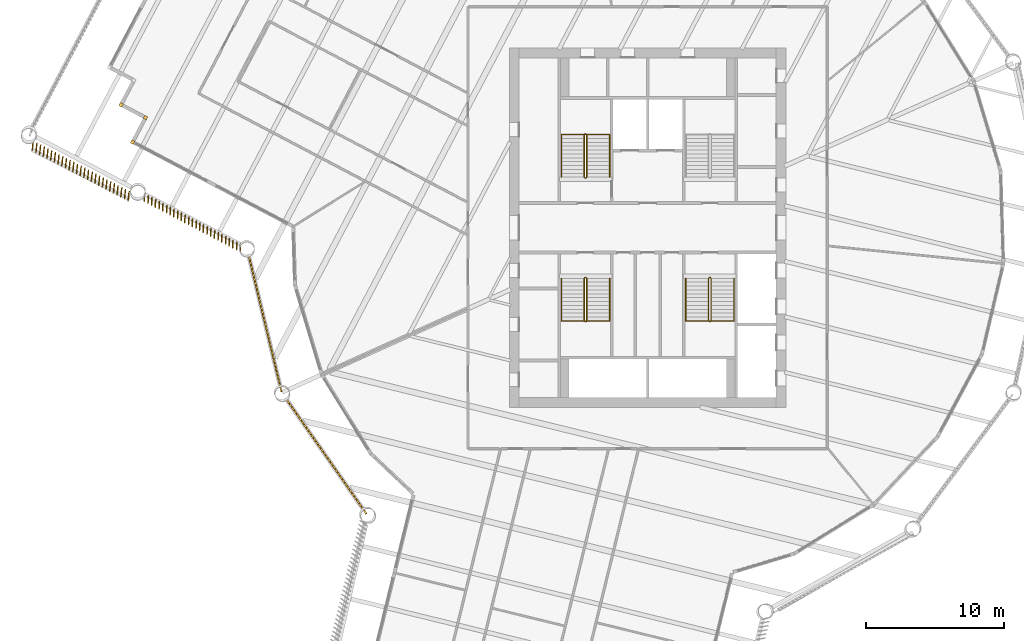
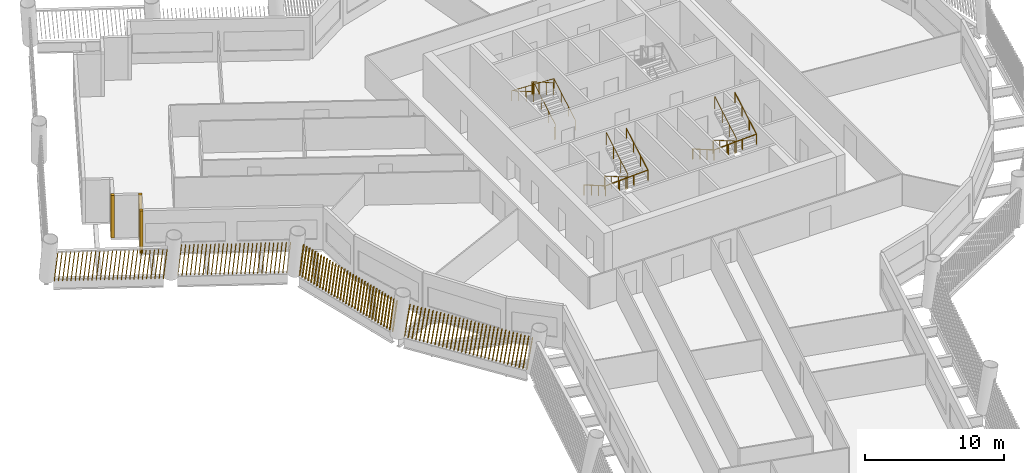
# One storey, part 12 of 15: 7 shading devices, 6 railings.
"""IFC4 building model written with IfcOpenShell, lengths in metres."""

from ifc_helpers import new_model, si_unit, direction, frame, frame_2d, origin, origin_2d, place, context, subcontext, project, spatial, rectangle, circle, composite_profile, extrude, material, type_object, element, save


model = new_model("IFC4")

# Units and contexts
model_context = context("Model", 3, precision=1e-05, world=origin(), true_north=direction((0.0, 1.0)))
body_context = subcontext(model_context, "Body", "Model", "MODEL_VIEW")
ifc_project = project(units=[si_unit("LENGTHUNIT", "METRE"), si_unit("AREAUNIT", "SQUARE_METRE"), si_unit("VOLUMEUNIT", "CUBIC_METRE"), si_unit("PLANEANGLEUNIT", "RADIAN"), si_unit("MASSUNIT", "GRAM", prefix="KILO")], contexts=[model_context])

# Site, building, storey
site_placement = place(None, origin())
site = spatial("IfcSite", under=ifc_project, at=site_placement, CompositionType="ELEMENT")
building_placement = place(site_placement, origin())
building = spatial("IfcBuilding", under=site, at=building_placement, Name="Tarsis Ring Headquarters", CompositionType="ELEMENT")
storey_placement = place(building_placement, frame((0.0, 0.0, 167.10009765625)))
storey = spatial("IfcBuildingStorey", under=building, at=storey_placement, Name="L38", CompositionType="ELEMENT", Elevation=167.10009765625)

# Railings
ifc_material_1 = material(Name="Steel S355", Category="steel")
railing_type_1 = type_object("IfcRailingType", Name="Core stair guard 1100", PredefinedType="GUARDRAIL", material=ifc_material_1)
railing_1_placement = place(storey_placement, frame((-4.5400390625, 3.610107421875, 0.0)))
element("IfcRailing", 1, at=railing_1_placement, inside=storey, type_object=railing_type_1, Name="L38 ST1 stair guard 1", PredefinedType="GUARDRAIL", context=body_context, shape_type="SweptSolid", body=[
    extrude(circle(Radius=0.02392578125, at=origin_2d()), frame((0.0, 0.0, 1.076171875), z_axis=(1.0, 0.0, 0.0), x_axis=(0.0, 1.0, 0.0)), (0.0, 0.0, 1.0), 0.080078125),
    extrude(circle(Radius=0.02392578125, at=origin_2d()), frame((0.080078125, 0.0, 1.076171875), z_axis=(0.282693820306, 0.281314826061, 0.917031173188), x_axis=(-0.705375805398, 0.708833529934, 0.0)), (0.0, 0.0, 1.0), 0.177001953125),
    extrude(circle(Radius=0.02392578125, at=origin_2d()), frame((0.130126953125, 0.0498046875, 1.23828125), z_axis=(0.0, 0.864890721111, 0.501960198159), x_axis=(-1.0, 0.0, 0.0)), (0.0, 0.0, 1.0), 3.561279296875),
    extrude(circle(Radius=0.02392578125, at=origin_2d()), frame((0.130126953125, 3.1298828125, 3.02587890625), z_axis=(-0.707106781187, 0.707106781187, 0.0), x_axis=(-0.707106781187, -0.707106781187, 0.0)), (0.0, 0.0, 1.0), 0.07080078125),
    extrude(circle(Radius=0.02392578125, at=origin_2d()), frame((0.080078125, 3.179931640625, 3.02587890625), z_axis=(-1.0, 0.0, 0.0), x_axis=(0.0, -1.0, 0.0)), (0.0, 0.0, 1.0), 0.080078125),
    extrude(circle(Radius=0.02392578125, at=origin_2d()), frame((0.0, 3.179931640625, 3.02587890625), z_axis=(-0.282583949758, -0.282583949758, 0.916674763849), x_axis=(0.707106781187, -0.707106781187, 0.0)), (0.0, 0.0, 1.0), 0.177001953125),
    extrude(circle(Radius=0.02392578125, at=origin_2d()), frame((-0.050048828125, 3.1298828125, 3.1884765625), z_axis=(0.0, -0.864890721111, 0.501960198159), x_axis=(1.0, 0.0, 0.0)), (0.0, 0.0, 1.0), 3.561279296875),
    extrude(circle(Radius=0.02099609375, at=origin_2d()), origin(), (0.0, 0.0, 1.0), 1.052001953125),
    extrude(circle(Radius=0.02099609375, at=origin_2d()), frame((0.080078125, 0.0, 0.0)), (0.0, 0.0, 1.0), 1.052001953125),
    extrude(circle(Radius=0.02099609375, at=origin_2d()), frame((0.130126953125, 0.0498046875, 0.162353515625)), (0.0, 0.0, 1.0), 1.052001953125),
    extrude(circle(Radius=0.02099609375, at=origin_2d()), frame((0.130126953125, 1.076416015625, 0.75830078125)), (0.0, 0.0, 1.0), 1.052001953125),
    extrude(circle(Radius=0.02099609375, at=origin_2d()), frame((0.130126953125, 2.103271484375, 1.35400390625)), (0.0, 0.0, 1.0), 1.052001953125),
    extrude(circle(Radius=0.02099609375, at=origin_2d()), frame((0.130126953125, 3.1298828125, 1.949951171875)), (0.0, 0.0, 1.0), 1.052001953125),
    extrude(circle(Radius=0.02099609375, at=origin_2d()), frame((0.080078125, 3.179931640625, 1.949951171875)), (0.0, 0.0, 1.0), 1.052001953125),
    extrude(circle(Radius=0.02099609375, at=origin_2d()), frame((0.0, 3.179931640625, 1.949951171875)), (0.0, 0.0, 1.0), 1.052001953125),
    extrude(circle(Radius=0.02099609375, at=origin_2d()), frame((-0.050048828125, 3.1298828125, 2.1123046875)), (0.0, 0.0, 1.0), 1.052001953125),
    extrude(circle(Radius=0.02099609375, at=origin_2d()), frame((-0.050048828125, 2.103271484375, 2.708251953125)), (0.0, 0.0, 1.0), 1.052001953125),
    extrude(circle(Radius=0.02099609375, at=origin_2d()), frame((-0.050048828125, 1.076416015625, 3.303955078125)), (0.0, 0.0, 1.0), 1.052001953125),
    extrude(circle(Radius=0.02099609375, at=origin_2d()), frame((-0.050048828125, 0.0498046875, 3.89990234375)), (0.0, 0.0, 1.0), 1.052001953125),
])
railing_2_placement = place(storey_placement, frame((-4.4599609375, -3.610107421875, 0.0)))
element("IfcRailing", 2, at=railing_2_placement, inside=storey, type_object=railing_type_1, Name="L38 ST3 stair guard 1", PredefinedType="GUARDRAIL", context=body_context, shape_type="SweptSolid", body=[
    extrude(circle(Radius=0.02392578125, at=origin_2d()), frame((0.0, 0.0, 1.076171875), z_axis=(-1.0, 0.0, 0.0), x_axis=(0.0, -1.0, 0.0)), (0.0, 0.0, 1.0), 0.080078125),
    extrude(circle(Radius=0.02392578125, at=origin_2d()), frame((-0.080078125, 0.0, 1.076171875), z_axis=(-0.282693820306, -0.281314826061, 0.917031173188), x_axis=(0.705375805398, -0.708833529934, 0.0)), (0.0, 0.0, 1.0), 0.177001953125),
    extrude(circle(Radius=0.02392578125, at=origin_2d()), frame((-0.130126953125, -0.0498046875, 1.23828125), z_axis=(0.0, -0.864890721111, 0.501960198159), x_axis=(1.0, 0.0, 0.0)), (0.0, 0.0, 1.0), 3.561279296875),
    extrude(circle(Radius=0.02392578125, at=origin_2d()), frame((-0.130126953125, -3.1298828125, 3.02587890625), z_axis=(0.707106781187, -0.707106781187, 0.0), x_axis=(0.707106781187, 0.707106781187, 0.0)), (0.0, 0.0, 1.0), 0.07080078125),
    extrude(circle(Radius=0.02392578125, at=origin_2d()), frame((-0.080078125, -3.179931640625, 3.02587890625), z_axis=(1.0, 0.0, 0.0), x_axis=(0.0, 1.0, 0.0)), (0.0, 0.0, 1.0), 0.080078125),
    extrude(circle(Radius=0.02392578125, at=origin_2d()), frame((0.0, -3.179931640625, 3.02587890625), z_axis=(0.282583949758, 0.282583949758, 0.916674763849), x_axis=(-0.707106781187, 0.707106781187, 0.0)), (0.0, 0.0, 1.0), 0.177001953125),
    extrude(circle(Radius=0.02392578125, at=origin_2d()), frame((0.050048828125, -3.1298828125, 3.1884765625), z_axis=(0.0, 0.864890721111, 0.501960198159), x_axis=(-1.0, 0.0, 0.0)), (0.0, 0.0, 1.0), 3.561279296875),
    extrude(circle(Radius=0.02099609375, at=origin_2d()), origin(), (0.0, 0.0, 1.0), 1.052001953125),
    extrude(circle(Radius=0.02099609375, at=origin_2d()), frame((-0.080078125, 0.0, 0.0)), (0.0, 0.0, 1.0), 1.052001953125),
    extrude(circle(Radius=0.02099609375, at=origin_2d()), frame((-0.130126953125, -0.0498046875, 0.162353515625)), (0.0, 0.0, 1.0), 1.052001953125),
    extrude(circle(Radius=0.02099609375, at=origin_2d()), frame((-0.130126953125, -1.076416015625, 0.75830078125)), (0.0, 0.0, 1.0), 1.052001953125),
    extrude(circle(Radius=0.02099609375, at=origin_2d()), frame((-0.130126953125, -2.103271484375, 1.35400390625)), (0.0, 0.0, 1.0), 1.052001953125),
    extrude(circle(Radius=0.02099609375, at=origin_2d()), frame((-0.130126953125, -3.1298828125, 1.949951171875)), (0.0, 0.0, 1.0), 1.052001953125),
    extrude(circle(Radius=0.02099609375, at=origin_2d()), frame((-0.080078125, -3.179931640625, 1.949951171875)), (0.0, 0.0, 1.0), 1.052001953125),
    extrude(circle(Radius=0.02099609375, at=origin_2d()), frame((0.0, -3.179931640625, 1.949951171875)), (0.0, 0.0, 1.0), 1.052001953125),
    extrude(circle(Radius=0.02099609375, at=origin_2d()), frame((0.050048828125, -3.1298828125, 2.1123046875)), (0.0, 0.0, 1.0), 1.052001953125),
    extrude(circle(Radius=0.02099609375, at=origin_2d()), frame((0.050048828125, -2.103271484375, 2.708251953125)), (0.0, 0.0, 1.0), 1.052001953125),
    extrude(circle(Radius=0.02099609375, at=origin_2d()), frame((0.050048828125, -1.076416015625, 3.303955078125)), (0.0, 0.0, 1.0), 1.052001953125),
    extrude(circle(Radius=0.02099609375, at=origin_2d()), frame((0.050048828125, -0.0498046875, 3.89990234375)), (0.0, 0.0, 1.0), 1.052001953125),
])
railing_3_placement = place(storey_placement, frame((4.5400390625, -3.610107421875, 0.0)))
element("IfcRailing", 3, at=railing_3_placement, inside=storey, type_object=railing_type_1, Name="L38 ST4 stair guard 1", PredefinedType="GUARDRAIL", context=body_context, shape_type="SweptSolid", body=[
    extrude(circle(Radius=0.02392578125, at=origin_2d()), frame((0.0, 0.0, 1.076171875), z_axis=(-1.0, 0.0, 0.0), x_axis=(0.0, -1.0, 0.0)), (0.0, 0.0, 1.0), 0.080078125),
    extrude(circle(Radius=0.02392578125, at=origin_2d()), frame((-0.080078125, 0.0, 1.076171875), z_axis=(-0.282693820306, -0.281314826061, 0.917031173188), x_axis=(0.705375805398, -0.708833529934, 0.0)), (0.0, 0.0, 1.0), 0.177001953125),
    extrude(circle(Radius=0.02392578125, at=origin_2d()), frame((-0.130126953125, -0.0498046875, 1.23828125), z_axis=(0.0, -0.864890721111, 0.501960198159), x_axis=(1.0, 0.0, 0.0)), (0.0, 0.0, 1.0), 3.561279296875),
    extrude(circle(Radius=0.02392578125, at=origin_2d()), frame((-0.130126953125, -3.1298828125, 3.02587890625), z_axis=(0.707106781187, -0.707106781187, 0.0), x_axis=(0.707106781187, 0.707106781187, 0.0)), (0.0, 0.0, 1.0), 0.07080078125),
    extrude(circle(Radius=0.02392578125, at=origin_2d()), frame((-0.080078125, -3.179931640625, 3.02587890625), z_axis=(1.0, 0.0, 0.0), x_axis=(0.0, 1.0, 0.0)), (0.0, 0.0, 1.0), 0.080078125),
    extrude(circle(Radius=0.02392578125, at=origin_2d()), frame((0.0, -3.179931640625, 3.02587890625), z_axis=(0.282583949758, 0.282583949758, 0.916674763849), x_axis=(-0.707106781187, 0.707106781187, 0.0)), (0.0, 0.0, 1.0), 0.177001953125),
    extrude(circle(Radius=0.02392578125, at=origin_2d()), frame((0.050048828125, -3.1298828125, 3.1884765625), z_axis=(0.0, 0.864890721111, 0.501960198159), x_axis=(-1.0, 0.0, 0.0)), (0.0, 0.0, 1.0), 3.561279296875),
    extrude(circle(Radius=0.02099609375, at=origin_2d()), origin(), (0.0, 0.0, 1.0), 1.052001953125),
    extrude(circle(Radius=0.02099609375, at=origin_2d()), frame((-0.080078125, 0.0, 0.0)), (0.0, 0.0, 1.0), 1.052001953125),
    extrude(circle(Radius=0.02099609375, at=origin_2d()), frame((-0.130126953125, -0.0498046875, 0.162353515625)), (0.0, 0.0, 1.0), 1.052001953125),
    extrude(circle(Radius=0.02099609375, at=origin_2d()), frame((-0.130126953125, -1.076416015625, 0.75830078125)), (0.0, 0.0, 1.0), 1.052001953125),
    extrude(circle(Radius=0.02099609375, at=origin_2d()), frame((-0.130126953125, -2.103271484375, 1.35400390625)), (0.0, 0.0, 1.0), 1.052001953125),
    extrude(circle(Radius=0.02099609375, at=origin_2d()), frame((-0.130126953125, -3.1298828125, 1.949951171875)), (0.0, 0.0, 1.0), 1.052001953125),
    extrude(circle(Radius=0.02099609375, at=origin_2d()), frame((-0.080078125, -3.179931640625, 1.949951171875)), (0.0, 0.0, 1.0), 1.052001953125),
    extrude(circle(Radius=0.02099609375, at=origin_2d()), frame((0.0, -3.179931640625, 1.949951171875)), (0.0, 0.0, 1.0), 1.052001953125),
    extrude(circle(Radius=0.02099609375, at=origin_2d()), frame((0.050048828125, -3.1298828125, 2.1123046875)), (0.0, 0.0, 1.0), 1.052001953125),
    extrude(circle(Radius=0.02099609375, at=origin_2d()), frame((0.050048828125, -2.103271484375, 2.708251953125)), (0.0, 0.0, 1.0), 1.052001953125),
    extrude(circle(Radius=0.02099609375, at=origin_2d()), frame((0.050048828125, -1.076416015625, 3.303955078125)), (0.0, 0.0, 1.0), 1.052001953125),
    extrude(circle(Radius=0.02099609375, at=origin_2d()), frame((0.050048828125, -0.0498046875, 3.89990234375)), (0.0, 0.0, 1.0), 1.052001953125),
])
railing_type_2 = type_object("IfcRailingType", Name="Core stair handrail 900", PredefinedType="HANDRAIL", material=ifc_material_1)
railing_4_placement = place(storey_placement, frame((-2.75, 3.659912109375, 0.162353515625)))
element("IfcRailing", 4, at=railing_4_placement, inside=storey, type_object=railing_type_2, Name="L38 ST1 stair handrail 1", PredefinedType="HANDRAIL", context=body_context, shape_type="SweptSolid", body=[
    extrude(circle(Radius=0.02392578125, at=origin_2d()), frame((0.0, 0.0, 0.8759765625), z_axis=(0.0, 0.864890721111, 0.501960198159), x_axis=(-1.0, 0.0, 0.0)), (0.0, 0.0, 1.0), 3.561279296875),
    extrude(circle(Radius=0.02392578125, at=origin_2d()), frame((0.0, 3.080078125, 2.66357421875), z_axis=(-0.998925869279, 0.0, 0.04633689335), x_axis=(0.0, -1.0, 0.0)), (0.0, 0.0, 1.0), 3.503662109375),
    extrude(circle(Radius=0.02392578125, at=origin_2d()), frame((-3.5, 3.080078125, 2.82568359375), z_axis=(0.0, -0.864890721111, 0.501960198159), x_axis=(1.0, 0.0, 0.0)), (0.0, 0.0, 1.0), 3.561279296875),
    extrude(circle(Radius=0.02099609375, at=origin_2d()), origin(), (0.0, 0.0, 1.0), 0.851806640625),
    extrude(circle(Radius=0.02099609375, at=origin_2d()), frame((0.0, 1.026611328125, 0.595947265625)), (0.0, 0.0, 1.0), 0.851806640625),
    extrude(circle(Radius=0.02099609375, at=origin_2d()), frame((0.0, 2.053466796875, 1.191650390625)), (0.0, 0.0, 1.0), 0.851806640625),
    extrude(circle(Radius=0.02099609375, at=origin_2d()), frame((0.0, 3.080078125, 1.78759765625)), (0.0, 0.0, 1.0), 0.851806640625),
    extrude(circle(Radius=0.02099609375, at=origin_2d()), frame((-1.166748046875, 3.080078125, 1.841796875)), (0.0, 0.0, 1.0), 0.851806640625),
    extrude(circle(Radius=0.02099609375, at=origin_2d()), frame((-2.333251953125, 3.080078125, 1.895751953125)), (0.0, 0.0, 1.0), 0.851806640625),
    extrude(circle(Radius=0.02099609375, at=origin_2d()), frame((-3.5, 3.080078125, 1.949951171875)), (0.0, 0.0, 1.0), 0.851806640625),
    extrude(circle(Radius=0.02099609375, at=origin_2d()), frame((-3.5, 2.053466796875, 2.5458984375)), (0.0, 0.0, 1.0), 0.851806640625),
    extrude(circle(Radius=0.02099609375, at=origin_2d()), frame((-3.5, 1.026611328125, 3.1416015625)), (0.0, 0.0, 1.0), 0.851806640625),
    extrude(circle(Radius=0.02099609375, at=origin_2d()), frame((-3.5, 0.0, 3.737548828125)), (0.0, 0.0, 1.0), 0.851806640625),
])
railing_5_placement = place(storey_placement, frame((-6.25, -3.659912109375, 0.162353515625)))
element("IfcRailing", 5, at=railing_5_placement, inside=storey, type_object=railing_type_2, Name="L38 ST3 stair handrail 1", PredefinedType="HANDRAIL", context=body_context, shape_type="SweptSolid", body=[
    extrude(circle(Radius=0.02392578125, at=origin_2d()), frame((0.0, 0.0, 0.8759765625), z_axis=(0.0, -0.864890721111, 0.501960198159), x_axis=(1.0, 0.0, 0.0)), (0.0, 0.0, 1.0), 3.561279296875),
    extrude(circle(Radius=0.02392578125, at=origin_2d()), frame((0.0, -3.080078125, 2.66357421875), z_axis=(0.998925869279, 0.0, 0.04633689335), x_axis=(0.0, 1.0, 0.0)), (0.0, 0.0, 1.0), 3.503662109375),
    extrude(circle(Radius=0.02392578125, at=origin_2d()), frame((3.5, -3.080078125, 2.82568359375), z_axis=(0.0, 0.864890721111, 0.501960198159), x_axis=(-1.0, 0.0, 0.0)), (0.0, 0.0, 1.0), 3.561279296875),
    extrude(circle(Radius=0.02099609375, at=origin_2d()), origin(), (0.0, 0.0, 1.0), 0.851806640625),
    extrude(circle(Radius=0.02099609375, at=origin_2d()), frame((0.0, -1.026611328125, 0.595947265625)), (0.0, 0.0, 1.0), 0.851806640625),
    extrude(circle(Radius=0.02099609375, at=origin_2d()), frame((0.0, -2.053466796875, 1.191650390625)), (0.0, 0.0, 1.0), 0.851806640625),
    extrude(circle(Radius=0.02099609375, at=origin_2d()), frame((0.0, -3.080078125, 1.78759765625)), (0.0, 0.0, 1.0), 0.851806640625),
    extrude(circle(Radius=0.02099609375, at=origin_2d()), frame((1.166748046875, -3.080078125, 1.841796875)), (0.0, 0.0, 1.0), 0.851806640625),
    extrude(circle(Radius=0.02099609375, at=origin_2d()), frame((2.333251953125, -3.080078125, 1.895751953125)), (0.0, 0.0, 1.0), 0.851806640625),
    extrude(circle(Radius=0.02099609375, at=origin_2d()), frame((3.5, -3.080078125, 1.949951171875)), (0.0, 0.0, 1.0), 0.851806640625),
    extrude(circle(Radius=0.02099609375, at=origin_2d()), frame((3.5, -2.053466796875, 2.5458984375)), (0.0, 0.0, 1.0), 0.851806640625),
    extrude(circle(Radius=0.02099609375, at=origin_2d()), frame((3.5, -1.026611328125, 3.1416015625)), (0.0, 0.0, 1.0), 0.851806640625),
    extrude(circle(Radius=0.02099609375, at=origin_2d()), frame((3.5, 0.0, 3.737548828125)), (0.0, 0.0, 1.0), 0.851806640625),
])
railing_6_placement = place(storey_placement, frame((2.75, -3.659912109375, 0.162353515625)))
element("IfcRailing", 6, at=railing_6_placement, inside=storey, type_object=railing_type_2, Name="L38 ST4 stair handrail 1", PredefinedType="HANDRAIL", context=body_context, shape_type="SweptSolid", body=[
    extrude(circle(Radius=0.02392578125, at=origin_2d()), frame((0.0, 0.0, 0.8759765625), z_axis=(0.0, -0.864890721111, 0.501960198159), x_axis=(1.0, 0.0, 0.0)), (0.0, 0.0, 1.0), 3.561279296875),
    extrude(circle(Radius=0.02392578125, at=origin_2d()), frame((0.0, -3.080078125, 2.66357421875), z_axis=(0.998925869279, 0.0, 0.04633689335), x_axis=(0.0, 1.0, 0.0)), (0.0, 0.0, 1.0), 3.503662109375),
    extrude(circle(Radius=0.02392578125, at=origin_2d()), frame((3.5, -3.080078125, 2.82568359375), z_axis=(0.0, 0.864890721111, 0.501960198159), x_axis=(-1.0, 0.0, 0.0)), (0.0, 0.0, 1.0), 3.561279296875),
    extrude(circle(Radius=0.02099609375, at=origin_2d()), origin(), (0.0, 0.0, 1.0), 0.851806640625),
    extrude(circle(Radius=0.02099609375, at=origin_2d()), frame((0.0, -1.026611328125, 0.595947265625)), (0.0, 0.0, 1.0), 0.851806640625),
    extrude(circle(Radius=0.02099609375, at=origin_2d()), frame((0.0, -2.053466796875, 1.191650390625)), (0.0, 0.0, 1.0), 0.851806640625),
    extrude(circle(Radius=0.02099609375, at=origin_2d()), frame((0.0, -3.080078125, 1.78759765625)), (0.0, 0.0, 1.0), 0.851806640625),
    extrude(circle(Radius=0.02099609375, at=origin_2d()), frame((1.166748046875, -3.080078125, 1.841796875)), (0.0, 0.0, 1.0), 0.851806640625),
    extrude(circle(Radius=0.02099609375, at=origin_2d()), frame((2.333251953125, -3.080078125, 1.895751953125)), (0.0, 0.0, 1.0), 0.851806640625),
    extrude(circle(Radius=0.02099609375, at=origin_2d()), frame((3.5, -3.080078125, 1.949951171875)), (0.0, 0.0, 1.0), 0.851806640625),
    extrude(circle(Radius=0.02099609375, at=origin_2d()), frame((3.5, -2.053466796875, 2.5458984375)), (0.0, 0.0, 1.0), 0.851806640625),
    extrude(circle(Radius=0.02099609375, at=origin_2d()), frame((3.5, -1.026611328125, 3.1416015625)), (0.0, 0.0, 1.0), 0.851806640625),
    extrude(circle(Radius=0.02099609375, at=origin_2d()), frame((3.5, 0.0, 3.737548828125)), (0.0, 0.0, 1.0), 0.851806640625),
])

# Shading devices
ifc_material_2 = material(Name="Terracotta baguette", Category="masonry")
shading_device_type_1 = type_object("IfcShadingDeviceType", Name="Terracotta baguette screen", PredefinedType="USERDEFINED", material=ifc_material_2)
shading_device_1_placement = place(storey_placement, frame((-26.201171875, -12.336181640625, 0.0), z_axis=(0.0, 0.0, 1.0), x_axis=(0.572506496102, -0.819908055167, 0.0)))
element("IfcShadingDevice", 7, at=shading_device_1_placement, inside=storey, type_object=shading_device_type_1, Name="Baguette screen L38-00", ObjectType="Terracotta baguette screen", PredefinedType="USERDEFINED", context=body_context, shape_type="SweptSolid", body=[
    extrude(composite_profile([rectangle(XDim=0.06005859375, YDim=0.1201171875, at=frame_2d((0.030029296875, 0.0))), rectangle(XDim=0.06005859375, YDim=0.1201171875, at=frame_2d((0.33349609375, 0.0))), rectangle(XDim=0.06005859375, YDim=0.1201171875, at=frame_2d((0.636962890625, 0.0))), rectangle(XDim=0.06005859375, YDim=0.1201171875, at=frame_2d((0.9404296875, 0.0))), rectangle(XDim=0.06005859375, YDim=0.1201171875, at=frame_2d((1.243896484375, 0.0))), rectangle(XDim=0.06005859375, YDim=0.1201171875, at=frame_2d((1.54736328125, 0.0))), rectangle(XDim=0.06005859375, YDim=0.1201171875, at=frame_2d((1.850830078125, 0.0))), rectangle(XDim=0.06005859375, YDim=0.1201171875, at=frame_2d((2.154296875, 0.0))), rectangle(XDim=0.06005859375, YDim=0.1201171875, at=frame_2d((2.4580078125, 0.0))), rectangle(XDim=0.06005859375, YDim=0.1201171875, at=frame_2d((2.761474609375, 0.0))), rectangle(XDim=0.06005859375, YDim=0.1201171875, at=frame_2d((3.06494140625, 0.0))), rectangle(XDim=0.06005859375, YDim=0.1201171875, at=frame_2d((3.368408203125, 0.0))), rectangle(XDim=0.06005859375, YDim=0.1201171875, at=frame_2d((3.671875, 0.0))), rectangle(XDim=0.06005859375, YDim=0.1201171875, at=frame_2d((3.975341796875, 0.0))), rectangle(XDim=0.06005859375, YDim=0.1201171875, at=frame_2d((4.27880859375, 0.0))), rectangle(XDim=0.06005859375, YDim=0.1201171875, at=frame_2d((4.582275390625, 0.0))), rectangle(XDim=0.06005859375, YDim=0.1201171875, at=frame_2d((4.8857421875, 0.0))), rectangle(XDim=0.06005859375, YDim=0.1201171875, at=frame_2d((5.189208984375, 0.0))), rectangle(XDim=0.06005859375, YDim=0.1201171875, at=frame_2d((5.49267578125, 0.0))), rectangle(XDim=0.06005859375, YDim=0.1201171875, at=frame_2d((5.796142578125, 0.0))), rectangle(XDim=0.06005859375, YDim=0.1201171875, at=frame_2d((6.099609375, 0.0))), rectangle(XDim=0.06005859375, YDim=0.1201171875, at=frame_2d((6.403076171875, 0.0))), rectangle(XDim=0.06005859375, YDim=0.1201171875, at=frame_2d((6.70654296875, 0.0))), rectangle(XDim=0.06005859375, YDim=0.1201171875, at=frame_2d((7.010009765625, 0.0))), rectangle(XDim=0.06005859375, YDim=0.1201171875, at=frame_2d((7.3134765625, 0.0))), rectangle(XDim=0.06005859375, YDim=0.1201171875, at=frame_2d((7.6171875, 0.0))), rectangle(XDim=0.06005859375, YDim=0.1201171875, at=frame_2d((7.920654296875, 0.0))), rectangle(XDim=0.06005859375, YDim=0.1201171875, at=frame_2d((8.22412109375, 0.0))), rectangle(XDim=0.06005859375, YDim=0.1201171875, at=frame_2d((8.527587890625, 0.0))), rectangle(XDim=0.06005859375, YDim=0.1201171875, at=frame_2d((8.8310546875, 0.0))), rectangle(XDim=0.06005859375, YDim=0.1201171875, at=frame_2d((9.134521484375, 0.0))), rectangle(XDim=0.06005859375, YDim=0.1201171875, at=frame_2d((9.43798828125, 0.0))), rectangle(XDim=0.06005859375, YDim=0.1201171875, at=frame_2d((9.741455078125, 0.0)))]), origin(), (0.150264767517, 0.001180292819, 0.988645086243), 2.98388671875),
])
shading_device_2_placement = place(storey_placement, frame((-44.49951171875, 6.273681640625, 0.0), z_axis=(0.0, 0.0, 1.0), x_axis=(0.884913646615, -0.465783050638, 0.0)))
element("IfcShadingDevice", 8, at=shading_device_2_placement, inside=storey, type_object=shading_device_type_1, Name="Baguette screen L38-19", ObjectType="Terracotta baguette screen", PredefinedType="USERDEFINED", context=body_context, shape_type="SweptSolid", body=[
    extrude(composite_profile([rectangle(XDim=0.06005859375, YDim=0.1201171875, at=frame_2d((0.030029296875, 0.0))), rectangle(XDim=0.06005859375, YDim=0.1201171875, at=frame_2d((0.33154296875, 0.0))), rectangle(XDim=0.06005859375, YDim=0.1201171875, at=frame_2d((0.63330078125, 0.0))), rectangle(XDim=0.06005859375, YDim=0.1201171875, at=frame_2d((0.934814453125, 0.0))), rectangle(XDim=0.06005859375, YDim=0.1201171875, at=frame_2d((1.236572265625, 0.0))), rectangle(XDim=0.06005859375, YDim=0.1201171875, at=frame_2d((1.5380859375, 0.0))), rectangle(XDim=0.06005859375, YDim=0.1201171875, at=frame_2d((1.83984375, 0.0))), rectangle(XDim=0.06005859375, YDim=0.1201171875, at=frame_2d((2.141357421875, 0.0))), rectangle(XDim=0.06005859375, YDim=0.1201171875, at=frame_2d((2.443115234375, 0.0))), rectangle(XDim=0.06005859375, YDim=0.1201171875, at=frame_2d((2.74462890625, 0.0))), rectangle(XDim=0.06005859375, YDim=0.1201171875, at=frame_2d((3.04638671875, 0.0))), rectangle(XDim=0.06005859375, YDim=0.1201171875, at=frame_2d((3.347900390625, 0.0))), rectangle(XDim=0.06005859375, YDim=0.1201171875, at=frame_2d((3.649658203125, 0.0))), rectangle(XDim=0.06005859375, YDim=0.1201171875, at=frame_2d((3.951171875, 0.0))), rectangle(XDim=0.06005859375, YDim=0.1201171875, at=frame_2d((4.252685546875, 0.0))), rectangle(XDim=0.06005859375, YDim=0.1201171875, at=frame_2d((4.554443359375, 0.0))), rectangle(XDim=0.06005859375, YDim=0.1201171875, at=frame_2d((4.85595703125, 0.0))), rectangle(XDim=0.06005859375, YDim=0.1201171875, at=frame_2d((5.15771484375, 0.0))), rectangle(XDim=0.06005859375, YDim=0.1201171875, at=frame_2d((5.459228515625, 0.0))), rectangle(XDim=0.06005859375, YDim=0.1201171875, at=frame_2d((5.760986328125, 0.0))), rectangle(XDim=0.06005859375, YDim=0.1201171875, at=frame_2d((6.0625, 0.0))), rectangle(XDim=0.06005859375, YDim=0.1201171875, at=frame_2d((6.3642578125, 0.0))), rectangle(XDim=0.06005859375, YDim=0.1201171875, at=frame_2d((6.665771484375, 0.0))), rectangle(XDim=0.06005859375, YDim=0.1201171875, at=frame_2d((6.967529296875, 0.0))), rectangle(XDim=0.06005859375, YDim=0.1201171875, at=frame_2d((7.26904296875, 0.0))), rectangle(XDim=0.06005859375, YDim=0.1201171875, at=frame_2d((7.57080078125, 0.0))), rectangle(XDim=0.06005859375, YDim=0.1201171875, at=frame_2d((7.872314453125, 0.0)))]), origin(), (0.080489621825, -0.198822058293, 0.976724736), 3.020263671875),
])
shading_device_3_placement = place(storey_placement, frame((-36.447265625, 2.458984375, 0.0), z_axis=(0.0, 0.0, 1.0), x_axis=(0.884913646615, -0.465783050638, 0.0)))
element("IfcShadingDevice", 9, at=shading_device_3_placement, inside=storey, type_object=shading_device_type_1, Name="Baguette screen L38-20", ObjectType="Terracotta baguette screen", PredefinedType="USERDEFINED", context=body_context, shape_type="SweptSolid", body=[
    extrude(composite_profile([rectangle(XDim=0.06005859375, YDim=0.1201171875, at=frame_2d((0.030029296875, 0.0))), rectangle(XDim=0.06005859375, YDim=0.1201171875, at=frame_2d((0.33154296875, 0.0))), rectangle(XDim=0.06005859375, YDim=0.1201171875, at=frame_2d((0.63330078125, 0.0))), rectangle(XDim=0.06005859375, YDim=0.1201171875, at=frame_2d((0.934814453125, 0.0))), rectangle(XDim=0.06005859375, YDim=0.1201171875, at=frame_2d((1.236572265625, 0.0))), rectangle(XDim=0.06005859375, YDim=0.1201171875, at=frame_2d((1.5380859375, 0.0))), rectangle(XDim=0.06005859375, YDim=0.1201171875, at=frame_2d((1.83984375, 0.0))), rectangle(XDim=0.06005859375, YDim=0.1201171875, at=frame_2d((2.141357421875, 0.0))), rectangle(XDim=0.06005859375, YDim=0.1201171875, at=frame_2d((2.443115234375, 0.0))), rectangle(XDim=0.06005859375, YDim=0.1201171875, at=frame_2d((2.74462890625, 0.0))), rectangle(XDim=0.06005859375, YDim=0.1201171875, at=frame_2d((3.04638671875, 0.0))), rectangle(XDim=0.06005859375, YDim=0.1201171875, at=frame_2d((3.347900390625, 0.0))), rectangle(XDim=0.06005859375, YDim=0.1201171875, at=frame_2d((3.649658203125, 0.0))), rectangle(XDim=0.06005859375, YDim=0.1201171875, at=frame_2d((3.951171875, 0.0))), rectangle(XDim=0.06005859375, YDim=0.1201171875, at=frame_2d((4.252685546875, 0.0))), rectangle(XDim=0.06005859375, YDim=0.1201171875, at=frame_2d((4.554443359375, 0.0))), rectangle(XDim=0.06005859375, YDim=0.1201171875, at=frame_2d((4.85595703125, 0.0))), rectangle(XDim=0.06005859375, YDim=0.1201171875, at=frame_2d((5.15771484375, 0.0))), rectangle(XDim=0.06005859375, YDim=0.1201171875, at=frame_2d((5.459228515625, 0.0))), rectangle(XDim=0.06005859375, YDim=0.1201171875, at=frame_2d((5.760986328125, 0.0))), rectangle(XDim=0.06005859375, YDim=0.1201171875, at=frame_2d((6.0625, 0.0))), rectangle(XDim=0.06005859375, YDim=0.1201171875, at=frame_2d((6.3642578125, 0.0))), rectangle(XDim=0.06005859375, YDim=0.1201171875, at=frame_2d((6.665771484375, 0.0))), rectangle(XDim=0.06005859375, YDim=0.1201171875, at=frame_2d((6.967529296875, 0.0))), rectangle(XDim=0.06005859375, YDim=0.1201171875, at=frame_2d((7.26904296875, 0.0))), rectangle(XDim=0.06005859375, YDim=0.1201171875, at=frame_2d((7.57080078125, 0.0))), rectangle(XDim=0.06005859375, YDim=0.1201171875, at=frame_2d((7.872314453125, 0.0)))]), origin(), (0.078833508166, -0.153823450491, 0.984948538792), 2.9951171875),
])
shading_device_4_placement = place(storey_placement, frame((-28.894775390625, -1.9404296875, 0.0), z_axis=(0.0, 0.0, 1.0), x_axis=(0.234372657772, -0.97214310698, 0.0)))
element("IfcShadingDevice", 10, at=shading_device_4_placement, inside=storey, type_object=shading_device_type_1, Name="Baguette screen L38-21", ObjectType="Terracotta baguette screen", PredefinedType="USERDEFINED", context=body_context, shape_type="SweptSolid", body=[
    extrude(composite_profile([rectangle(XDim=0.06005859375, YDim=0.1201171875, at=frame_2d((0.030029296875, 0.0))), rectangle(XDim=0.06005859375, YDim=0.1201171875, at=frame_2d((0.33349609375, 0.0))), rectangle(XDim=0.06005859375, YDim=0.1201171875, at=frame_2d((0.636962890625, 0.0))), rectangle(XDim=0.06005859375, YDim=0.1201171875, at=frame_2d((0.9404296875, 0.0))), rectangle(XDim=0.06005859375, YDim=0.1201171875, at=frame_2d((1.243896484375, 0.0))), rectangle(XDim=0.06005859375, YDim=0.1201171875, at=frame_2d((1.54736328125, 0.0))), rectangle(XDim=0.06005859375, YDim=0.1201171875, at=frame_2d((1.85107421875, 0.0))), rectangle(XDim=0.06005859375, YDim=0.1201171875, at=frame_2d((2.154541015625, 0.0))), rectangle(XDim=0.06005859375, YDim=0.1201171875, at=frame_2d((2.4580078125, 0.0))), rectangle(XDim=0.06005859375, YDim=0.1201171875, at=frame_2d((2.761474609375, 0.0))), rectangle(XDim=0.06005859375, YDim=0.1201171875, at=frame_2d((3.06494140625, 0.0))), rectangle(XDim=0.06005859375, YDim=0.1201171875, at=frame_2d((3.368408203125, 0.0))), rectangle(XDim=0.06005859375, YDim=0.1201171875, at=frame_2d((3.671875, 0.0))), rectangle(XDim=0.06005859375, YDim=0.1201171875, at=frame_2d((3.975341796875, 0.0))), rectangle(XDim=0.06005859375, YDim=0.1201171875, at=frame_2d((4.27880859375, 0.0))), rectangle(XDim=0.06005859375, YDim=0.1201171875, at=frame_2d((4.582275390625, 0.0))), rectangle(XDim=0.06005859375, YDim=0.1201171875, at=frame_2d((4.8857421875, 0.0))), rectangle(XDim=0.06005859375, YDim=0.1201171875, at=frame_2d((5.189453125, 0.0))), rectangle(XDim=0.06005859375, YDim=0.1201171875, at=frame_2d((5.492919921875, 0.0))), rectangle(XDim=0.06005859375, YDim=0.1201171875, at=frame_2d((5.79638671875, 0.0))), rectangle(XDim=0.06005859375, YDim=0.1201171875, at=frame_2d((6.099853515625, 0.0))), rectangle(XDim=0.06005859375, YDim=0.1201171875, at=frame_2d((6.4033203125, 0.0))), rectangle(XDim=0.06005859375, YDim=0.1201171875, at=frame_2d((6.706787109375, 0.0))), rectangle(XDim=0.06005859375, YDim=0.1201171875, at=frame_2d((7.01025390625, 0.0))), rectangle(XDim=0.06005859375, YDim=0.1201171875, at=frame_2d((7.313720703125, 0.0))), rectangle(XDim=0.06005859375, YDim=0.1201171875, at=frame_2d((7.6171875, 0.0))), rectangle(XDim=0.06005859375, YDim=0.1201171875, at=frame_2d((7.920654296875, 0.0))), rectangle(XDim=0.06005859375, YDim=0.1201171875, at=frame_2d((8.224365234375, 0.0))), rectangle(XDim=0.06005859375, YDim=0.1201171875, at=frame_2d((8.52783203125, 0.0))), rectangle(XDim=0.06005859375, YDim=0.1201171875, at=frame_2d((8.831298828125, 0.0))), rectangle(XDim=0.06005859375, YDim=0.1201171875, at=frame_2d((9.134765625, 0.0))), rectangle(XDim=0.06005859375, YDim=0.1201171875, at=frame_2d((9.438232421875, 0.0))), rectangle(XDim=0.06005859375, YDim=0.1201171875, at=frame_2d((9.74169921875, 0.0)))]), origin(), (0.150263716609, 0.001180917131, 0.988645245225), 2.98388671875),
])
shading_device_type_2 = type_object("IfcShadingDeviceType", Name="Terracotta corner baguette 250x250", PredefinedType="USERDEFINED", material=ifc_material_2)
for number, where, z_axis, x_axis, name in (
    (11, (-37.277099609375, 6.201171875, 0.0), (0.0, 0.0, 1.0), (-0.465768540267, -0.884906586538, 0.0), "Corner baguette L38-01"),
    (12, (-38.115234375, 8.902587890625, 0.0), (0.0, 0.0, 1.0), (-0.465769327938, -0.884906171948, 0.0), "Corner baguette L38-39"),
    (13, (-36.345458984375, 7.970947265625, 0.0), (0.0, 0.0, 1.0), (0.884906375178, -0.465768941825, 0.0), "Corner baguette L38-40"),
):
    element("IfcShadingDevice", number, at=place(storey_placement, frame(where, z_axis=z_axis, x_axis=x_axis)), inside=storey, type_object=shading_device_type_2, Name=name, ObjectType="Terracotta corner baguette", PredefinedType="USERDEFINED", context=body_context, shape_type="SweptSolid", body=[
        extrude(rectangle(XDim=0.25, YDim=0.25, at=origin_2d()), origin(), (0.0, 0.0, 1.0), 3.739990234375),
    ])

save(model, "model.ifc")
